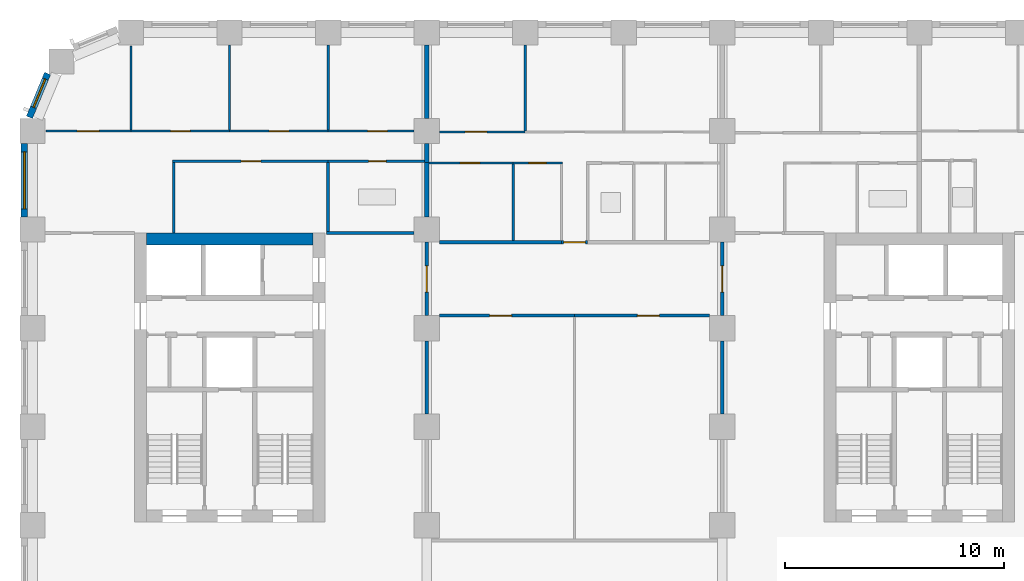
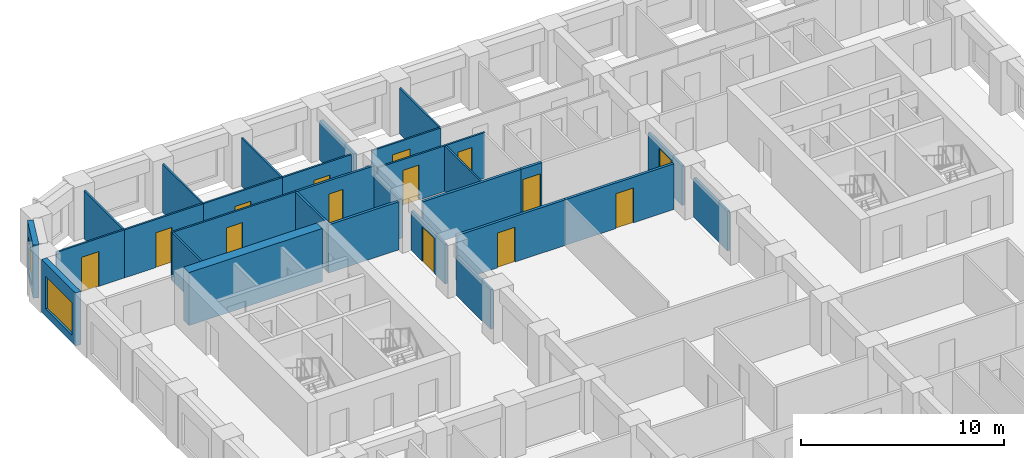
# One storey, part 7 of 13: 31 walls, 14 doors, 2 windows, 16 openings.
"""IFC4 building model written with IfcOpenShell, lengths in metres."""

from ifc_helpers import new_model, si_unit, direction, frame, frame_2d, origin, place, context, subcontext, project, spatial, rectangle, extrude, material, layer, layer_set, type_object, element, fill, save


model = new_model("IFC4")

# Units and contexts
model_context = context("Model", 3, precision=1e-05, world=origin(), true_north=direction((0.0, 1.0)))
body_context = subcontext(model_context, "Body", "Model", "MODEL_VIEW")
ifc_project = project(units=[si_unit("LENGTHUNIT", "METRE"), si_unit("AREAUNIT", "SQUARE_METRE"), si_unit("VOLUMEUNIT", "CUBIC_METRE"), si_unit("PLANEANGLEUNIT", "RADIAN"), si_unit("MASSUNIT", "GRAM", prefix="KILO")], contexts=[model_context])

# Site, building, storey
site_placement = place(None, origin())
site = spatial("IfcSite", under=ifc_project, at=site_placement, CompositionType="ELEMENT")
building_placement = place(site_placement, origin())
building = spatial("IfcBuilding", under=site, at=building_placement, Name="Girih Gate Residences", CompositionType="ELEMENT")
storey_placement = place(building_placement, frame((0.0, 0.0, 83.199951171875)))
storey = spatial("IfcBuildingStorey", under=building, at=storey_placement, Name="L22", CompositionType="ELEMENT", Elevation=83.199951171875)

# Wall
ifc_material_1 = material(Name="Gypsum board on steel studs", Category="steel")
ifc_layer_1 = layer(ifc_material_1, 0.14990234375)
ifc_layer_set_1 = layer_set([ifc_layer_1], Name="Compartment wall 150 mm")
wall_type_1 = type_object("IfcWallType", Name="Compartment wall 150 mm", PredefinedType="PARTITIONING", material=ifc_layer_set_1)
wall_1_placement = place(storey_placement, frame((13.428955078125, 40.35009765625, 0.0), z_axis=(0.0, 0.0, 1.0), x_axis=(1.0, 0.0, 0.0)))
element("IfcWall", 1, at=wall_1_placement, inside=storey, type_object=wall_type_1, Name="L22 partition", PredefinedType="PARTITIONING", context=body_context, shape_type="SweptSolid", body=[
    extrude(rectangle(XDim=3.99609375, YDim=0.14990234375, at=frame_2d((1.998046875, 0.0))), origin(), (0.0, 0.0, 1.0), 2.900146484375),
])

# Wall, opening, door
wall_2_placement = place(storey_placement, frame((24.14990234375, 39.925048828125, 0.0), z_axis=(0.0, 0.0, 1.0), x_axis=(1.0, 0.0, 0.0)))
wall_2 = element("IfcWall", 2, at=wall_2_placement, inside=storey, type_object=wall_type_1, Name="L22 partition", PredefinedType="PARTITIONING", context=body_context, shape_type="SweptSolid", body=[
    extrude(rectangle(XDim=1.2001953125, YDim=0.14990234375, at=frame_2d((0.60009765625, 0.0))), origin(), (0.0, 0.0, 1.0), 2.75),
])
opening_1_placement = place(wall_2_placement, frame((0.10009765625, 0.0, 0.0)))
opening_1 = element("IfcOpeningElement", 3, at=opening_1_placement, cuts=wall_2, Name="Opening A22-048", PredefinedType="OPENING", context=body_context, shape_type="SweptSolid", body=[
    extrude(rectangle(XDim=1.0, YDim=2.10009765625, at=frame_2d((0.5, 1.050048828125))), frame((0.0, 0.0849609375, 0.0), z_axis=(0.0, -1.0, 0.0), x_axis=(1.0, 0.0, 0.0)), (0.0, 0.0, 1.0), 0.169921875),
])
ifc_material_2 = material(Name="Timber, fire-rated core", Category="wood")
door_type_1 = type_object("IfcDoorType", Name="Flat entrance door 1000x2100 FD30S", OperationType="NOTDEFINED", PredefinedType="DOOR", material=ifc_material_2)
door_1_placement = place(opening_1_placement, origin())
door_1 = element("IfcDoor", 4, at=door_1_placement, inside=storey, type_object=door_type_1, Name="Door A22-048", OperationType="SINGLE_SWING_RIGHT", OverallHeight=2.10009765625, OverallWidth=1.0, PredefinedType="DOOR", context=body_context, shape_type="SweptSolid", body=[
    extrude(rectangle(XDim=1.0, YDim=2.10009765625, at=frame_2d((0.5, 1.050048828125))), frame((0.0, 0.02490234375, 0.0), z_axis=(0.0, -1.0, 0.0), x_axis=(1.0, 0.0, 0.0)), (0.0, 0.0, 1.0), 0.050048828125),
])
fill(opening_1, door_1)

# Wall
wall_3_placement = place(storey_placement, frame((18.574951171875, 39.925048828125, 0.0), z_axis=(0.0, 0.0, 1.0), x_axis=(1.0, 0.0, 0.0)))
element("IfcWall", 5, at=wall_3_placement, inside=storey, type_object=wall_type_1, Name="L22 partition", PredefinedType="PARTITIONING", context=body_context, shape_type="SweptSolid", body=[
    extrude(rectangle(XDim=5.574951171875, YDim=0.14990234375, at=frame_2d((2.78759765625, 0.0))), origin(), (0.0, 0.0, 1.0), 2.75),
])

# Wall, opening, door
wall_4_placement = place(storey_placement, frame((24.75, 36.574951171875, 0.0), z_axis=(0.0, 0.0, 1.0), x_axis=(-1.0, 0.0, 0.0)))
wall_4 = element("IfcWall", 6, at=wall_4_placement, inside=storey, type_object=wall_type_1, Name="L22 partition", PredefinedType="PARTITIONING", context=body_context, shape_type="SweptSolid", body=[
    extrude(rectangle(XDim=6.175048828125, YDim=0.14990234375, at=frame_2d((3.08740234375, 0.0))), origin(), (0.0, 0.0, 1.0), 2.75),
])
opening_2_placement = place(wall_4_placement, frame((2.875, 0.0, 0.0)))
opening_2 = element("IfcOpeningElement", 7, at=opening_2_placement, cuts=wall_4, Name="Opening A22-049", PredefinedType="OPENING", context=body_context, shape_type="SweptSolid", body=[
    extrude(rectangle(XDim=1.0, YDim=2.10009765625, at=frame_2d((0.5, 1.050048828125))), frame((0.0, 0.0849609375, 0.0), z_axis=(0.0, -1.0, 0.0), x_axis=(1.0, 0.0, 0.0)), (0.0, 0.0, 1.0), 0.169921875),
])
door_type_2 = type_object("IfcDoorType", Name="Amenity room door 1000x2100 FD30S", OperationType="NOTDEFINED", PredefinedType="DOOR", material=ifc_material_2)
door_2_placement = place(opening_2_placement, origin())
door_2 = element("IfcDoor", 8, at=door_2_placement, inside=storey, type_object=door_type_2, Name="Door A22-049", OperationType="SINGLE_SWING_RIGHT", OverallHeight=2.10009765625, OverallWidth=1.0, PredefinedType="DOOR", context=body_context, shape_type="SweptSolid", body=[
    extrude(rectangle(XDim=1.0, YDim=2.10009765625, at=frame_2d((0.5, 1.050048828125))), frame((0.0, 0.02490234375, 0.0), z_axis=(0.0, -1.0, 0.0), x_axis=(1.0, 0.0, 0.0)), (0.0, 0.0, 1.0), 0.050048828125),
])
fill(opening_2, door_2)

wall_5_placement = place(storey_placement, frame((30.925048828125, 36.574951171875, 0.0), z_axis=(0.0, 0.0, 1.0), x_axis=(-1.0, 0.0, 0.0)))
wall_5 = element("IfcWall", 9, at=wall_5_placement, inside=storey, type_object=wall_type_1, Name="L22 partition", PredefinedType="PARTITIONING", context=body_context, shape_type="SweptSolid", body=[
    extrude(rectangle(XDim=6.175048828125, YDim=0.14990234375, at=frame_2d((3.08740234375, 0.0))), origin(), (0.0, 0.0, 1.0), 2.75),
])
opening_3_placement = place(wall_5_placement, frame((2.300048828125, 0.0, 0.0)))
opening_3 = element("IfcOpeningElement", 10, at=opening_3_placement, cuts=wall_5, Name="Opening A22-050", PredefinedType="OPENING", context=body_context, shape_type="SweptSolid", body=[
    extrude(rectangle(XDim=1.0, YDim=2.10009765625, at=frame_2d((0.5, 1.050048828125))), frame((0.0, 0.0849609375, 0.0), z_axis=(0.0, -1.0, 0.0), x_axis=(1.0, 0.0, 0.0)), (0.0, 0.0, 1.0), 0.169921875),
])
door_3_placement = place(opening_3_placement, origin())
door_3 = element("IfcDoor", 11, at=door_3_placement, inside=storey, type_object=door_type_2, Name="Door A22-050", OperationType="SINGLE_SWING_LEFT", OverallHeight=2.10009765625, OverallWidth=1.0, PredefinedType="DOOR", context=body_context, shape_type="SweptSolid", body=[
    extrude(rectangle(XDim=1.0, YDim=2.10009765625, at=frame_2d((0.5, 1.050048828125))), frame((0.0, 0.02490234375, 0.0), z_axis=(0.0, -1.0, 0.0), x_axis=(1.0, 0.0, 0.0)), (0.0, 0.0, 1.0), 0.050048828125),
])
fill(opening_3, door_3)

wall_6_placement = place(storey_placement, frame((31.5, 36.574951171875, 0.0), z_axis=(0.0, 0.0, 1.0), x_axis=(0.0, 1.0, 0.0)))
wall_6 = element("IfcWall", 12, at=wall_6_placement, inside=storey, type_object=wall_type_1, Name="L22 partition", PredefinedType="PARTITIONING", context=body_context, shape_type="SweptSolid", body=[
    extrude(rectangle(XDim=3.35009765625, YDim=0.14990234375, at=frame_2d((1.675048828125, 0.0))), origin(), (0.0, 0.0, 1.0), 2.380126953125),
])
opening_4_placement = place(wall_6_placement, frame((1.074951171875, 0.0, 0.0)))
opening_4 = element("IfcOpeningElement", 13, at=opening_4_placement, cuts=wall_6, Name="Opening A22-051", PredefinedType="OPENING", context=body_context, shape_type="SweptSolid", body=[
    extrude(rectangle(XDim=1.199951171875, YDim=2.10009765625, at=frame_2d((0.60009765625, 1.050048828125))), frame((0.0, 0.0849609375, 0.0), z_axis=(0.0, -1.0, 0.0), x_axis=(1.0, 0.0, 0.0)), (0.0, 0.0, 1.0), 0.169921875),
])
door_type_3 = type_object("IfcDoorType", Name="Corridor fire door 1200x2100 FD30S", OperationType="NOTDEFINED", PredefinedType="DOOR", material=ifc_material_2)
door_4_placement = place(opening_4_placement, origin())
door_4 = element("IfcDoor", 14, at=door_4_placement, inside=storey, type_object=door_type_3, Name="Door A22-051", OperationType="SINGLE_SWING_LEFT", OverallHeight=2.10009765625, OverallWidth=1.199951171875, PredefinedType="DOOR", context=body_context, shape_type="SweptSolid", body=[
    extrude(rectangle(XDim=1.199951171875, YDim=2.10009765625, at=frame_2d((0.60009765625, 1.050048828125))), frame((0.0, 0.02490234375, 0.0), z_axis=(0.0, -1.0, 0.0), x_axis=(1.0, 0.0, 0.0)), (0.0, 0.0, 1.0), 0.050048828125),
])
fill(opening_4, door_4)

wall_7_placement = place(storey_placement, frame((18.0, 39.925048828125, 0.0), z_axis=(0.0, 0.0, 1.0), x_axis=(0.0, -1.0, 0.0)))
wall_7 = element("IfcWall", 15, at=wall_7_placement, inside=storey, type_object=wall_type_1, Name="L22 partition", PredefinedType="PARTITIONING", context=body_context, shape_type="SweptSolid", body=[
    extrude(rectangle(XDim=3.35009765625, YDim=0.14990234375, at=frame_2d((1.675048828125, 0.0))), origin(), (0.0, 0.0, 1.0), 2.380126953125),
])
opening_5_placement = place(wall_7_placement, frame((1.074951171875, 0.0, 0.0)))
opening_5 = element("IfcOpeningElement", 16, at=opening_5_placement, cuts=wall_7, Name="Opening A22-052", PredefinedType="OPENING", context=body_context, shape_type="SweptSolid", body=[
    extrude(rectangle(XDim=1.199951171875, YDim=2.10009765625, at=frame_2d((0.60009765625, 1.050048828125))), frame((0.0, 0.0849609375, 0.0), z_axis=(0.0, -1.0, 0.0), x_axis=(1.0, 0.0, 0.0)), (0.0, 0.0, 1.0), 0.169921875),
])
door_5_placement = place(opening_5_placement, origin())
door_5 = element("IfcDoor", 17, at=door_5_placement, inside=storey, type_object=door_type_3, Name="Door A22-052", OperationType="SINGLE_SWING_LEFT", OverallHeight=2.10009765625, OverallWidth=1.199951171875, PredefinedType="DOOR", context=body_context, shape_type="SweptSolid", body=[
    extrude(rectangle(XDim=1.199951171875, YDim=2.10009765625, at=frame_2d((0.60009765625, 1.050048828125))), frame((0.0, 0.02490234375, 0.0), z_axis=(0.0, -1.0, 0.0), x_axis=(1.0, 0.0, 0.0)), (0.0, 0.0, 1.0), 0.050048828125),
])
fill(opening_5, door_5)

# Walls
for number, where, z_axis, x_axis, name in (
    (18, (18.0, 32.074951171875, 0.0), (0.0, 0.0, 1.0), (0.0, 1.0, 0.0), "L22 partition"),
    (19, (31.5, 32.074951171875, 0.0), (0.0, 0.0, 1.0), (0.0, 1.0, 0.0), "L22 partition"),
):
    element("IfcWall", number, at=place(storey_placement, frame(where, z_axis=z_axis, x_axis=x_axis)), inside=storey, type_object=wall_type_1, Name=name, PredefinedType="PARTITIONING", context=body_context, shape_type="SweptSolid", body=[
        extrude(rectangle(XDim=3.35009765625, YDim=0.14990234375, at=frame_2d((1.675048828125, 0.0))), origin(), (0.0, 0.0, 1.0), 2.380126953125),
    ])
ifc_material_3 = material(Name="Concrete C60/75", Category="concrete")
ifc_layer_2 = layer(ifc_material_3, 0.550048828125)
ifc_layer_set_2 = layer_set([ifc_layer_2], Name="Core wall RC 550 Concrete C60/75")
wall_type_2 = type_object("IfcWallType", Name="Core wall RC 550 Concrete C60/75", PredefinedType="SOLIDWALL", material=ifc_layer_set_2)
wall_8_placement = place(storey_placement, frame((5.199951171875, 40.074951171875, 0.0), z_axis=(0.0, 0.0, 1.0), x_axis=(1.0, 0.0, 0.0)))
element("IfcWall", 20, at=wall_8_placement, inside=storey, type_object=wall_type_2, Name="Core wall W-N L22", PredefinedType="SOLIDWALL", context=body_context, shape_type="SweptSolid", body=[
    extrude(rectangle(XDim=7.60009765625, YDim=0.550048828125, at=frame_2d((3.800048828125, 0.0))), origin(), (0.0, 0.0, 1.0), 3.199951171875),
])
ifc_layer_3 = layer(ifc_material_1, 0.10009765625)
ifc_layer_set_3 = layer_set([ifc_layer_3], Name="Partition 100 mm")
wall_type_3 = type_object("IfcWallType", Name="Partition 100 mm", PredefinedType="PARTITIONING", material=ifc_layer_set_3)
wall_9_placement = place(storey_placement, frame((9.0, 45.050048828125, 0.0), z_axis=(0.0, 0.0, 1.0), x_axis=(0.0, 1.0, 0.0)))
element("IfcWall", 21, at=wall_9_placement, inside=storey, type_object=wall_type_3, Name="L22 partition", PredefinedType="PARTITIONING", context=body_context, shape_type="SweptSolid", body=[
    extrude(rectangle(XDim=3.875, YDim=0.10009765625, at=frame_2d((1.9375, 0.0))), origin(), (0.0, 0.0, 1.0), 2.900146484375),
])

# Wall, opening, door
wall_10_placement = place(storey_placement, frame((4.5, 45.0, 0.0), z_axis=(0.0, 0.0, 1.0), x_axis=(1.0, 0.0, 0.0)))
wall_10 = element("IfcWall", 22, at=wall_10_placement, inside=storey, type_object=wall_type_3, Name="L22 partition", PredefinedType="PARTITIONING", context=body_context, shape_type="SweptSolid", body=[
    extrude(rectangle(XDim=4.5, YDim=0.10009765625, at=frame_2d((2.25, 0.0))), origin(), (0.0, 0.0, 1.0), 2.900146484375),
])
opening_6_placement = place(wall_10_placement, frame((1.800048828125, 0.0, 0.0)))
opening_6 = element("IfcOpeningElement", 23, at=opening_6_placement, cuts=wall_10, Name="Opening A22-012", PredefinedType="OPENING", context=body_context, shape_type="SweptSolid", body=[
    extrude(rectangle(XDim=0.89990234375, YDim=2.10009765625, at=frame_2d((0.449951171875, 1.050048828125))), frame((0.0, 0.06005859375, 0.0), z_axis=(0.0, -1.0, 0.0), x_axis=(1.0, 0.0, 0.0)), (0.0, 0.0, 1.0), 0.1201171875),
])
ifc_material_4 = material(Name="Timber", Category="wood")
door_type_4 = type_object("IfcDoorType", Name="Bedroom door 900x2100", OperationType="NOTDEFINED", PredefinedType="DOOR", material=ifc_material_4)
door_6_placement = place(opening_6_placement, origin())
door_6 = element("IfcDoor", 24, at=door_6_placement, inside=storey, type_object=door_type_4, Name="Door A22-012", OperationType="SINGLE_SWING_RIGHT", OverallHeight=2.10009765625, OverallWidth=0.89990234375, PredefinedType="DOOR", context=body_context, shape_type="SweptSolid", body=[
    extrude(rectangle(XDim=0.89990234375, YDim=2.10009765625, at=frame_2d((0.449951171875, 1.050048828125))), frame((0.0, 0.02490234375, 0.0), z_axis=(0.0, -1.0, 0.0), x_axis=(1.0, 0.0, 0.0)), (0.0, 0.0, 1.0), 0.050048828125),
])
fill(opening_6, door_6)

# Walls
wall_11_placement = place(storey_placement, frame((4.5, 45.050048828125, 0.0), z_axis=(0.0, 0.0, 1.0), x_axis=(0.0, 1.0, 0.0)))
element("IfcWall", 25, at=wall_11_placement, inside=storey, type_object=wall_type_3, Name="L22 partition", PredefinedType="PARTITIONING", context=body_context, shape_type="SweptSolid", body=[
    extrude(rectangle(XDim=3.82763671875, YDim=0.10009765625, at=frame_2d((1.913818359375, 0.0))), origin(), (0.0, 0.0, 1.0), 2.900146484375),
])
wall_12_placement = place(storey_placement, frame((13.5, 45.050048828125, 0.0), z_axis=(0.0, 0.0, 1.0), x_axis=(0.0, 1.0, 0.0)))
element("IfcWall", 26, at=wall_12_placement, inside=storey, type_object=wall_type_3, Name="L22 partition", PredefinedType="PARTITIONING", context=body_context, shape_type="SweptSolid", body=[
    extrude(rectangle(XDim=3.875, YDim=0.10009765625, at=frame_2d((1.9375, 0.0))), origin(), (0.0, 0.0, 1.0), 2.900146484375),
])

# Wall, opening, door
wall_13_placement = place(storey_placement, frame((9.0, 45.0, 0.0), z_axis=(0.0, 0.0, 1.0), x_axis=(1.0, 0.0, 0.0)))
wall_13 = element("IfcWall", 27, at=wall_13_placement, inside=storey, type_object=wall_type_3, Name="L22 partition", PredefinedType="PARTITIONING", context=body_context, shape_type="SweptSolid", body=[
    extrude(rectangle(XDim=4.5, YDim=0.10009765625, at=frame_2d((2.25, 0.0))), origin(), (0.0, 0.0, 1.0), 2.900146484375),
])
opening_7_placement = place(wall_13_placement, frame((1.800048828125, 0.0, 0.0)))
opening_7 = element("IfcOpeningElement", 28, at=opening_7_placement, cuts=wall_13, Name="Opening A22-013", PredefinedType="OPENING", context=body_context, shape_type="SweptSolid", body=[
    extrude(rectangle(XDim=0.89990234375, YDim=2.10009765625, at=frame_2d((0.449951171875, 1.050048828125))), frame((0.0, 0.06005859375, 0.0), z_axis=(0.0, -1.0, 0.0), x_axis=(1.0, 0.0, 0.0)), (0.0, 0.0, 1.0), 0.1201171875),
])
door_7_placement = place(opening_7_placement, origin())
door_7 = element("IfcDoor", 29, at=door_7_placement, inside=storey, type_object=door_type_4, Name="Door A22-013", OperationType="SINGLE_SWING_LEFT", OverallHeight=2.10009765625, OverallWidth=0.89990234375, PredefinedType="DOOR", context=body_context, shape_type="SweptSolid", body=[
    extrude(rectangle(XDim=0.89990234375, YDim=2.10009765625, at=frame_2d((0.449951171875, 1.050048828125))), frame((0.0, 0.02490234375, 0.0), z_axis=(0.0, -1.0, 0.0), x_axis=(1.0, 0.0, 0.0)), (0.0, 0.0, 1.0), 0.050048828125),
])
fill(opening_7, door_7)

wall_14_placement = place(storey_placement, frame((13.5, 45.0, 0.0), z_axis=(0.0, 0.0, 1.0), x_axis=(1.0, 0.0, 0.0)))
wall_14 = element("IfcWall", 30, at=wall_14_placement, inside=storey, type_object=wall_type_3, Name="L22 partition", PredefinedType="PARTITIONING", context=body_context, shape_type="SweptSolid", body=[
    extrude(rectangle(XDim=3.925048828125, YDim=0.10009765625, at=frame_2d((1.96240234375, 0.0))), origin(), (0.0, 0.0, 1.0), 2.900146484375),
])
opening_8_placement = place(wall_14_placement, frame((1.800048828125, 0.0, 0.0)))
opening_8 = element("IfcOpeningElement", 31, at=opening_8_placement, cuts=wall_14, Name="Opening A22-014", PredefinedType="OPENING", context=body_context, shape_type="SweptSolid", body=[
    extrude(rectangle(XDim=0.89990234375, YDim=2.10009765625, at=frame_2d((0.449951171875, 1.050048828125))), frame((0.0, 0.06005859375, 0.0), z_axis=(0.0, -1.0, 0.0), x_axis=(1.0, 0.0, 0.0)), (0.0, 0.0, 1.0), 0.1201171875),
])
door_8_placement = place(opening_8_placement, origin())
door_8 = element("IfcDoor", 32, at=door_8_placement, inside=storey, type_object=door_type_4, Name="Door A22-014", OperationType="SINGLE_SWING_RIGHT", OverallHeight=2.10009765625, OverallWidth=0.89990234375, PredefinedType="DOOR", context=body_context, shape_type="SweptSolid", body=[
    extrude(rectangle(XDim=0.89990234375, YDim=2.10009765625, at=frame_2d((0.449951171875, 1.050048828125))), frame((0.0, 0.02490234375, 0.0), z_axis=(0.0, -1.0, 0.0), x_axis=(1.0, 0.0, 0.0)), (0.0, 0.0, 1.0), 0.050048828125),
])
fill(opening_8, door_8)

wall_15_placement = place(storey_placement, frame((13.491455078125, 43.6201171875, 0.0), z_axis=(0.0, 0.0, 1.0), x_axis=(-1.0, 0.0, 0.0)))
wall_15 = element("IfcWall", 33, at=wall_15_placement, inside=storey, type_object=wall_type_3, Name="L22 partition", PredefinedType="PARTITIONING", context=body_context, shape_type="SweptSolid", body=[
    extrude(rectangle(XDim=7.091552734375, YDim=0.10009765625, at=frame_2d((3.5458984375, 0.0))), origin(), (0.0, 0.0, 1.0), 2.900146484375),
])
opening_9_placement = place(wall_15_placement, frame((3.07080078125, 0.0, 0.0)))
opening_9 = element("IfcOpeningElement", 34, at=opening_9_placement, cuts=wall_15, Name="Opening A22-015", PredefinedType="OPENING", context=body_context, shape_type="SweptSolid", body=[
    extrude(rectangle(XDim=0.89990234375, YDim=2.10009765625, at=frame_2d((0.449951171875, 1.050048828125))), frame((0.0, 0.06005859375, 0.0), z_axis=(0.0, -1.0, 0.0), x_axis=(1.0, 0.0, 0.0)), (0.0, 0.0, 1.0), 0.1201171875),
])
door_type_5 = type_object("IfcDoorType", Name="Kitchen door 900x2100", OperationType="NOTDEFINED", PredefinedType="DOOR", material=ifc_material_4)
door_9_placement = place(opening_9_placement, origin())
door_9 = element("IfcDoor", 35, at=door_9_placement, inside=storey, type_object=door_type_5, Name="Door A22-015", OperationType="SINGLE_SWING_LEFT", OverallHeight=2.10009765625, OverallWidth=0.89990234375, PredefinedType="DOOR", context=body_context, shape_type="SweptSolid", body=[
    extrude(rectangle(XDim=0.89990234375, YDim=2.10009765625, at=frame_2d((0.449951171875, 1.050048828125))), frame((0.0, 0.02490234375, 0.0), z_axis=(0.0, -1.0, 0.0), x_axis=(1.0, 0.0, 0.0)), (0.0, 0.0, 1.0), 0.050048828125),
])
fill(opening_9, door_9)

# Wall
wall_16_placement = place(storey_placement, frame((6.449951171875, 40.35009765625, 0.0), z_axis=(0.0, 0.0, 1.0), x_axis=(0.0, 1.0, 0.0)))
element("IfcWall", 36, at=wall_16_placement, inside=storey, type_object=wall_type_3, Name="L22 partition", PredefinedType="PARTITIONING", context=body_context, shape_type="SweptSolid", body=[
    extrude(rectangle(XDim=3.219970703125, YDim=0.10009765625, at=frame_2d((1.60986328125, 0.0))), origin(), (0.0, 0.0, 1.0), 2.900146484375),
])

# Wall, opening, door
wall_17_placement = place(storey_placement, frame((0.622314453125, 45.0, 0.0), z_axis=(0.0, 0.0, 1.0), x_axis=(1.0, 0.0, 0.0)))
wall_17 = element("IfcWall", 37, at=wall_17_placement, inside=storey, type_object=wall_type_3, Name="L22 partition", PredefinedType="PARTITIONING", context=body_context, shape_type="SweptSolid", body=[
    extrude(rectangle(XDim=3.877685546875, YDim=0.10009765625, at=frame_2d((1.93896484375, 0.0))), origin(), (0.0, 0.0, 1.0), 2.900146484375),
])
opening_10_placement = place(wall_17_placement, frame((1.4150390625, 0.0, 0.0)))
opening_10 = element("IfcOpeningElement", 38, at=opening_10_placement, cuts=wall_17, Name="Opening A22-016", PredefinedType="OPENING", context=body_context, shape_type="SweptSolid", body=[
    extrude(rectangle(XDim=1.0, YDim=2.10009765625, at=frame_2d((0.5, 1.050048828125))), frame((0.0, 0.06005859375, 0.0), z_axis=(0.0, -1.0, 0.0), x_axis=(1.0, 0.0, 0.0)), (0.0, 0.0, 1.0), 0.1201171875),
])
door_type_6 = type_object("IfcDoorType", Name="Living room door 1000x2100", OperationType="NOTDEFINED", PredefinedType="DOOR", material=ifc_material_4)
door_10_placement = place(opening_10_placement, origin())
door_10 = element("IfcDoor", 39, at=door_10_placement, inside=storey, type_object=door_type_6, Name="Door A22-016", OperationType="SINGLE_SWING_LEFT", OverallHeight=2.10009765625, OverallWidth=1.0, PredefinedType="DOOR", context=body_context, shape_type="SweptSolid", body=[
    extrude(rectangle(XDim=1.0, YDim=2.10009765625, at=frame_2d((0.5, 1.050048828125))), frame((0.0, 0.02490234375, 0.0), z_axis=(0.0, -1.0, 0.0), x_axis=(1.0, 0.0, 0.0)), (0.0, 0.0, 1.0), 0.050048828125),
])
fill(opening_10, door_10)

# Wall
wall_18_placement = place(storey_placement, frame((22.5, 45.014892578125, 0.0), z_axis=(0.0, 0.0, 1.0), x_axis=(0.0, 1.0, 0.0)))
element("IfcWall", 40, at=wall_18_placement, inside=storey, type_object=wall_type_3, Name="L22 partition", PredefinedType="PARTITIONING", context=body_context, shape_type="SweptSolid", body=[
    extrude(rectangle(XDim=3.91015625, YDim=0.10009765625, at=frame_2d((1.955078125, 0.0))), origin(), (0.0, 0.0, 1.0), 2.75),
])

# Wall, opening, door
wall_19_placement = place(storey_placement, frame((21.95166015625, 43.544921875, 0.0), z_axis=(0.0, 0.0, 1.0), x_axis=(-1.0, 0.0, 0.0)))
wall_19 = element("IfcWall", 41, at=wall_19_placement, inside=storey, type_object=wall_type_3, Name="L22 partition", PredefinedType="PARTITIONING", context=body_context, shape_type="SweptSolid", body=[
    extrude(rectangle(XDim=3.8515625, YDim=0.10009765625, at=frame_2d((1.92578125, 0.0))), origin(), (0.0, 0.0, 1.0), 2.75),
])
opening_11_placement = place(wall_19_placement, frame((1.52587890625, 0.0, 0.0)))
opening_11 = element("IfcOpeningElement", 42, at=opening_11_placement, cuts=wall_19, Name="Opening A22-044", PredefinedType="OPENING", context=body_context, shape_type="SweptSolid", body=[
    extrude(rectangle(XDim=0.89990234375, YDim=2.10009765625, at=frame_2d((0.449951171875, 1.050048828125))), frame((0.0, 0.06005859375, 0.0), z_axis=(0.0, -1.0, 0.0), x_axis=(1.0, 0.0, 0.0)), (0.0, 0.0, 1.0), 0.1201171875),
])
door_11_placement = place(opening_11_placement, origin())
door_11 = element("IfcDoor", 43, at=door_11_placement, inside=storey, type_object=door_type_5, Name="Door A22-044", OperationType="SINGLE_SWING_RIGHT", OverallHeight=2.10009765625, OverallWidth=0.89990234375, PredefinedType="DOOR", context=body_context, shape_type="SweptSolid", body=[
    extrude(rectangle(XDim=0.89990234375, YDim=2.10009765625, at=frame_2d((0.449951171875, 1.050048828125))), frame((0.0, 0.02490234375, 0.0), z_axis=(0.0, -1.0, 0.0), x_axis=(1.0, 0.0, 0.0)), (0.0, 0.0, 1.0), 0.050048828125),
])
fill(opening_11, door_11)

wall_20_placement = place(storey_placement, frame((18.574951171875, 44.965087890625, 0.0), z_axis=(0.0, 0.0, 1.0), x_axis=(1.0, 0.0, 0.0)))
wall_20 = element("IfcWall", 44, at=wall_20_placement, inside=storey, type_object=wall_type_3, Name="L22 partition", PredefinedType="PARTITIONING", context=body_context, shape_type="SweptSolid", body=[
    extrude(rectangle(XDim=3.925048828125, YDim=0.10009765625, at=frame_2d((1.96240234375, 0.0))), origin(), (0.0, 0.0, 1.0), 2.75),
])
opening_12_placement = place(wall_20_placement, frame((1.175048828125, 0.0, 0.0)))
opening_12 = element("IfcOpeningElement", 45, at=opening_12_placement, cuts=wall_20, Name="Opening A22-045", PredefinedType="OPENING", context=body_context, shape_type="SweptSolid", body=[
    extrude(rectangle(XDim=1.0, YDim=2.10009765625, at=frame_2d((0.5, 1.050048828125))), frame((0.0, 0.06005859375, 0.0), z_axis=(0.0, -1.0, 0.0), x_axis=(1.0, 0.0, 0.0)), (0.0, 0.0, 1.0), 0.1201171875),
])
door_12_placement = place(opening_12_placement, origin())
door_12 = element("IfcDoor", 46, at=door_12_placement, inside=storey, type_object=door_type_6, Name="Door A22-045", OperationType="SINGLE_SWING_LEFT", OverallHeight=2.10009765625, OverallWidth=1.0, PredefinedType="DOOR", context=body_context, shape_type="SweptSolid", body=[
    extrude(rectangle(XDim=1.0, YDim=2.10009765625, at=frame_2d((0.5, 1.050048828125))), frame((0.0, 0.02490234375, 0.0), z_axis=(0.0, -1.0, 0.0), x_axis=(1.0, 0.0, 0.0)), (0.0, 0.0, 1.0), 0.050048828125),
])
fill(opening_12, door_12)

wall_21_placement = place(storey_placement, frame((24.199951171875, 43.544921875, 0.0), z_axis=(0.0, 0.0, 1.0), x_axis=(-1.0, 0.0, 0.0)))
wall_21 = element("IfcWall", 47, at=wall_21_placement, inside=storey, type_object=wall_type_3, Name="L22 partition", PredefinedType="PARTITIONING", context=body_context, shape_type="SweptSolid", body=[
    extrude(rectangle(XDim=2.248291015625, YDim=0.10009765625, at=frame_2d((1.1240234375, 0.0))), origin(), (0.0, 0.0, 1.0), 2.75),
])
opening_13_placement = place(wall_21_placement, frame((0.7490234375, 0.0, 0.0)))
opening_13 = element("IfcOpeningElement", 48, at=opening_13_placement, cuts=wall_21, Name="Opening A22-047", PredefinedType="OPENING", context=body_context, shape_type="SweptSolid", body=[
    extrude(rectangle(XDim=0.800048828125, YDim=2.10009765625, at=frame_2d((0.39990234375, 1.050048828125))), frame((0.0, 0.06005859375, 0.0), z_axis=(0.0, -1.0, 0.0), x_axis=(1.0, 0.0, 0.0)), (0.0, 0.0, 1.0), 0.1201171875),
])
door_type_7 = type_object("IfcDoorType", Name="Store door 800x2100", OperationType="NOTDEFINED", PredefinedType="DOOR", material=ifc_material_4)
door_13_placement = place(opening_13_placement, origin())
door_13 = element("IfcDoor", 49, at=door_13_placement, inside=storey, type_object=door_type_7, Name="Door A22-047", OperationType="SINGLE_SWING_RIGHT", OverallHeight=2.10009765625, OverallWidth=0.800048828125, PredefinedType="DOOR", context=body_context, shape_type="SweptSolid", body=[
    extrude(rectangle(XDim=0.800048828125, YDim=2.10009765625, at=frame_2d((0.39990234375, 1.050048828125))), frame((0.0, 0.02490234375, 0.0), z_axis=(0.0, -1.0, 0.0), x_axis=(1.0, 0.0, 0.0)), (0.0, 0.0, 1.0), 0.050048828125),
])
fill(opening_13, door_13)

# Walls
wall_22_placement = place(storey_placement, frame((21.951904296875, 40.0, 0.0), z_axis=(0.0, 0.0, 1.0), x_axis=(0.0, 1.0, 0.0)))
element("IfcWall", 50, at=wall_22_placement, inside=storey, type_object=wall_type_3, Name="L22 partition", PredefinedType="PARTITIONING", context=body_context, shape_type="SweptSolid", body=[
    extrude(rectangle(XDim=3.4951171875, YDim=0.10009765625, at=frame_2d((1.74755859375, 0.0))), origin(), (0.0, 0.0, 1.0), 2.75),
])
ifc_layer_4 = layer(ifc_material_1, 0.199951171875)
ifc_layer_set_4 = layer_set([ifc_layer_4], Name="Party wall 200 mm")
wall_type_4 = type_object("IfcWallType", Name="Party wall 200 mm", PredefinedType="PARTITIONING", material=ifc_layer_set_4)
wall_23_placement = place(storey_placement, frame((18.0, 41.074951171875, 0.0), z_axis=(0.0, 0.0, 1.0), x_axis=(0.0, 1.0, 0.0)))
element("IfcWall", 51, at=wall_23_placement, inside=storey, type_object=wall_type_4, Name="L22 partition", PredefinedType="PARTITIONING", context=body_context, shape_type="SweptSolid", body=[
    extrude(rectangle(XDim=2.52001953125, YDim=0.199951171875, at=frame_2d((1.260009765625, 0.0))), origin(), (0.0, 0.0, 1.0), 2.380126953125),
])
wall_24_placement = place(storey_placement, frame((18.0, 45.574951171875, 0.0), z_axis=(0.0, 0.0, 1.0), x_axis=(0.0, 1.0, 0.0)))
element("IfcWall", 52, at=wall_24_placement, inside=storey, type_object=wall_type_4, Name="L22 partition", PredefinedType="PARTITIONING", context=body_context, shape_type="SweptSolid", body=[
    extrude(rectangle(XDim=3.35009765625, YDim=0.199951171875, at=frame_2d((1.675048828125, 0.0))), origin(), (0.0, 0.0, 1.0), 2.380126953125),
])
wall_25_placement = place(storey_placement, frame((18.0, 43.5576171875, 0.0), z_axis=(0.0, 0.0, 1.0), x_axis=(0.0, 1.0, 0.0)))
element("IfcWall", 53, at=wall_25_placement, inside=storey, type_object=wall_type_4, Name="L22 partition", PredefinedType="PARTITIONING", context=body_context, shape_type="SweptSolid", body=[
    extrude(rectangle(XDim=0.867431640625, YDim=0.199951171875, at=frame_2d((0.43359375, 0.0))), origin(), (0.0, 0.0, 1.0), 2.380126953125),
])

# Wall, opening, window
ifc_material_5 = material(Name="Precast concrete C50/60", Category="concrete")
ifc_layer_5 = layer(ifc_material_5, 0.080078125, Name="Outer leaf")
ifc_material_6 = material(Name="Rigid PIR insulation")
ifc_layer_6 = layer(ifc_material_6, 0.14990234375, Name="Insulation")
ifc_material_7 = material(Name="Precast concrete C40/50", Category="concrete")
ifc_layer_7 = layer(ifc_material_7, 0.070068359375, Name="Inner leaf")
ifc_layer_set_5 = layer_set([ifc_layer_5, ifc_layer_6, ifc_layer_7], Name="Precast concrete C50/60 external wall 300")
wall_type_5 = type_object("IfcWallType", Name="Precast concrete C50/60 external wall 300", PredefinedType="SOLIDWALL", material=ifc_layer_set_5)
wall_26_placement = place(storey_placement, frame((-0.14404296875, 45.63232421875, 0.0), z_axis=(0.0, 0.0, 1.0), x_axis=(0.382723818695, 0.923862802911, 0.0)))
wall_26 = element("IfcWall", 54, at=wall_26_placement, inside=storey, type_object=wall_type_5, Name="External wall NW0013_0482.0", PredefinedType="SOLIDWALL", context=body_context, shape_type="SweptSolid", body=[
    extrude(rectangle(XDim=2.163818359375, YDim=0.300048828125, at=frame_2d((1.08203125, 0.0))), origin(), (0.0, 0.0, 1.0), 3.199951171875),
])
opening_14_placement = place(wall_26_placement, frame((0.492919921875, 0.0, 0.449951171875)))
opening_14 = element("IfcOpeningElement", 55, at=opening_14_placement, cuts=wall_26, Name="Opening W-2D", PredefinedType="OPENING", context=body_context, shape_type="SweptSolid", body=[
    extrude(rectangle(XDim=1.39990234375, YDim=1.949951171875, at=frame_2d((0.699951171875, 0.97509765625))), frame((0.0, 0.159912109375, 0.0), z_axis=(0.0, -1.0, 0.0), x_axis=(1.0, 0.0, 0.0)), (0.0, 0.0, 1.0), 0.320068359375),
])
ifc_material_8 = material(Name="Double glazing in aluminium frame", Category="aluminium")
window_type_1 = type_object("IfcWindowType", Name="Window W-2D 1400x1950", PartitioningType="SINGLE_PANEL", PredefinedType="WINDOW", material=ifc_material_8)
window_1_placement = place(opening_14_placement, origin())
window_1 = element("IfcWindow", 56, at=window_1_placement, inside=storey, type_object=window_type_1, Name="Window W-2D NW0013_0482.0", OverallHeight=1.949951171875, OverallWidth=1.39990234375, PartitioningType="SINGLE_PANEL", PredefinedType="WINDOW", context=body_context, shape_type="SweptSolid", body=[
    extrude(rectangle(XDim=1.39990234375, YDim=1.949951171875, at=frame_2d((0.699951171875, 0.97509765625))), frame((0.0, 0.030029296875, 0.0), z_axis=(0.0, -1.0, 0.0), x_axis=(1.0, 0.0, 0.0)), (0.0, 0.0, 1.0), 0.06005859375),
])
fill(opening_14, window_1)

wall_27_placement = place(storey_placement, frame((-0.375, 41.074951171875, 0.0), z_axis=(0.0, 0.0, 1.0), x_axis=(0.0, 1.0, 0.0)))
wall_27 = element("IfcWall", 57, at=wall_27_placement, inside=storey, type_object=wall_type_5, Name="External wall W0000_0450.0", PredefinedType="SOLIDWALL", context=body_context, shape_type="SweptSolid", body=[
    extrude(rectangle(XDim=3.35009765625, YDim=0.300048828125, at=frame_2d((1.675048828125, 0.0))), origin(), (0.0, 0.0, 1.0), 3.199951171875),
])
opening_15_placement = place(wall_27_placement, frame((0.375, 0.0, 0.449951171875)))
opening_15 = element("IfcOpeningElement", 58, at=opening_15_placement, cuts=wall_27, Name="Opening W-1A", PredefinedType="OPENING", context=body_context, shape_type="SweptSolid", body=[
    extrude(rectangle(XDim=2.60009765625, YDim=1.949951171875, at=frame_2d((1.300048828125, 0.97509765625))), frame((0.0, 0.159912109375, 0.0), z_axis=(0.0, -1.0, 0.0), x_axis=(1.0, 0.0, 0.0)), (0.0, 0.0, 1.0), 0.320068359375),
])
window_type_2 = type_object("IfcWindowType", Name="Window W-1A 2600x1950", PartitioningType="SINGLE_PANEL", PredefinedType="WINDOW", material=ifc_material_8)
window_2_placement = place(opening_15_placement, origin())
window_2 = element("IfcWindow", 59, at=window_2_placement, inside=storey, type_object=window_type_2, Name="Window W-1A W0000_0450.0", OverallHeight=1.949951171875, OverallWidth=2.60009765625, PartitioningType="SINGLE_PANEL", PredefinedType="WINDOW", context=body_context, shape_type="SweptSolid", body=[
    extrude(rectangle(XDim=2.60009765625, YDim=1.949951171875, at=frame_2d((1.300048828125, 0.97509765625))), frame((0.0, 0.030029296875, 0.0), z_axis=(0.0, -1.0, 0.0), x_axis=(1.0, 0.0, 0.0)), (0.0, 0.0, 1.0), 0.06005859375),
])
fill(opening_15, window_2)

# Wall, opening, door
ifc_layer_8 = layer(ifc_material_1, 0.125)
ifc_layer_set_6 = layer_set([ifc_layer_8], Name="Wet room wall 125 mm")
wall_type_6 = type_object("IfcWallType", Name="Wet room wall 125 mm", PredefinedType="PARTITIONING", material=ifc_layer_set_6)
wall_28_placement = place(storey_placement, frame((17.89990234375, 43.6201171875, 0.0), z_axis=(0.0, 0.0, 1.0), x_axis=(-1.0, 0.0, 0.0)))
wall_28 = element("IfcWall", 60, at=wall_28_placement, inside=storey, type_object=wall_type_6, Name="L22 partition", PredefinedType="PARTITIONING", context=body_context, shape_type="SweptSolid", body=[
    extrude(rectangle(XDim=4.408447265625, YDim=0.125, at=frame_2d((2.2041015625, 0.0))), origin(), (0.0, 0.0, 1.0), 2.900146484375),
])
opening_16_placement = place(wall_28_placement, frame((1.754150390625, 0.0, 0.0)))
opening_16 = element("IfcOpeningElement", 61, at=opening_16_placement, cuts=wall_28, Name="Opening A22-011", PredefinedType="OPENING", context=body_context, shape_type="SweptSolid", body=[
    extrude(rectangle(XDim=0.800048828125, YDim=2.10009765625, at=frame_2d((0.39990234375, 1.050048828125))), frame((0.0, 0.072509765625, 0.0), z_axis=(0.0, -1.0, 0.0), x_axis=(1.0, 0.0, 0.0)), (0.0, 0.0, 1.0), 0.14501953125),
])
door_type_8 = type_object("IfcDoorType", Name="Bathroom door 800x2100", OperationType="NOTDEFINED", PredefinedType="DOOR", material=ifc_material_4)
door_14_placement = place(opening_16_placement, origin())
door_14 = element("IfcDoor", 62, at=door_14_placement, inside=storey, type_object=door_type_8, Name="Door A22-011", OperationType="SINGLE_SWING_LEFT", OverallHeight=2.10009765625, OverallWidth=0.800048828125, PredefinedType="DOOR", context=body_context, shape_type="SweptSolid", body=[
    extrude(rectangle(XDim=0.800048828125, YDim=2.10009765625, at=frame_2d((0.39990234375, 1.050048828125))), frame((0.0, 0.02490234375, 0.0), z_axis=(0.0, -1.0, 0.0), x_axis=(1.0, 0.0, 0.0)), (0.0, 0.0, 1.0), 0.050048828125),
])
fill(opening_16, door_14)

# Wall
wall_29_placement = place(storey_placement, frame((13.491943359375, 40.425048828125, 0.0), z_axis=(0.0, 0.0, 1.0), x_axis=(0.0, 1.0, 0.0)))
element("IfcWall", 63, at=wall_29_placement, inside=storey, type_object=wall_type_6, Name="L22 partition", PredefinedType="PARTITIONING", context=body_context, shape_type="SweptSolid", body=[
    extrude(rectangle(XDim=3.132568359375, YDim=0.125, at=frame_2d((1.56640625, 0.0))), origin(), (0.0, 0.0, 1.0), 2.900146484375),
])

save(model, "model.ifc")
